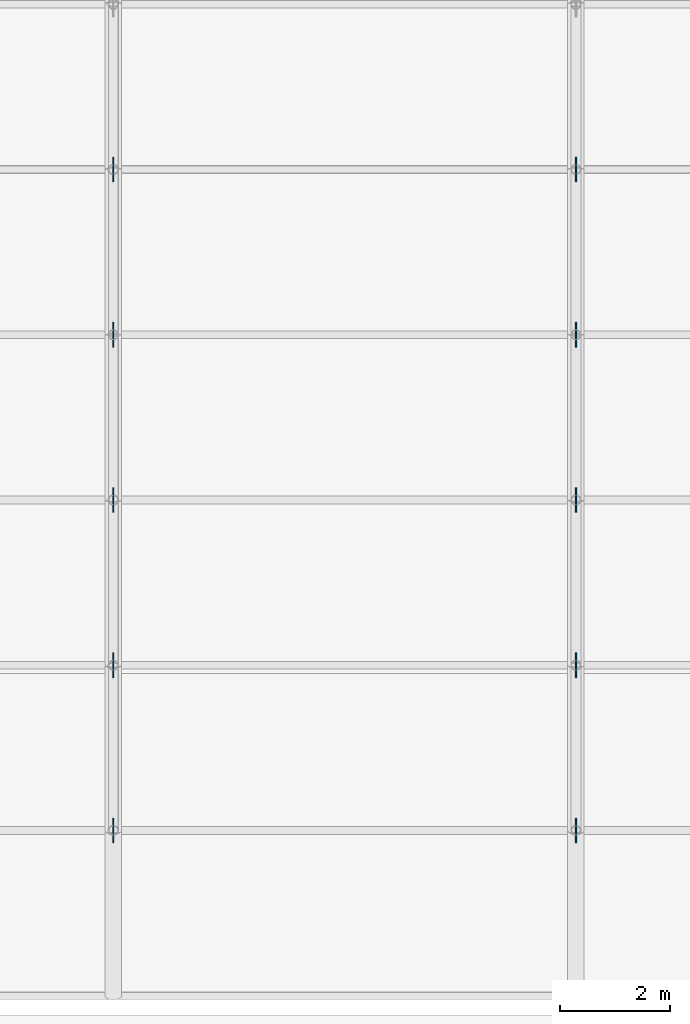
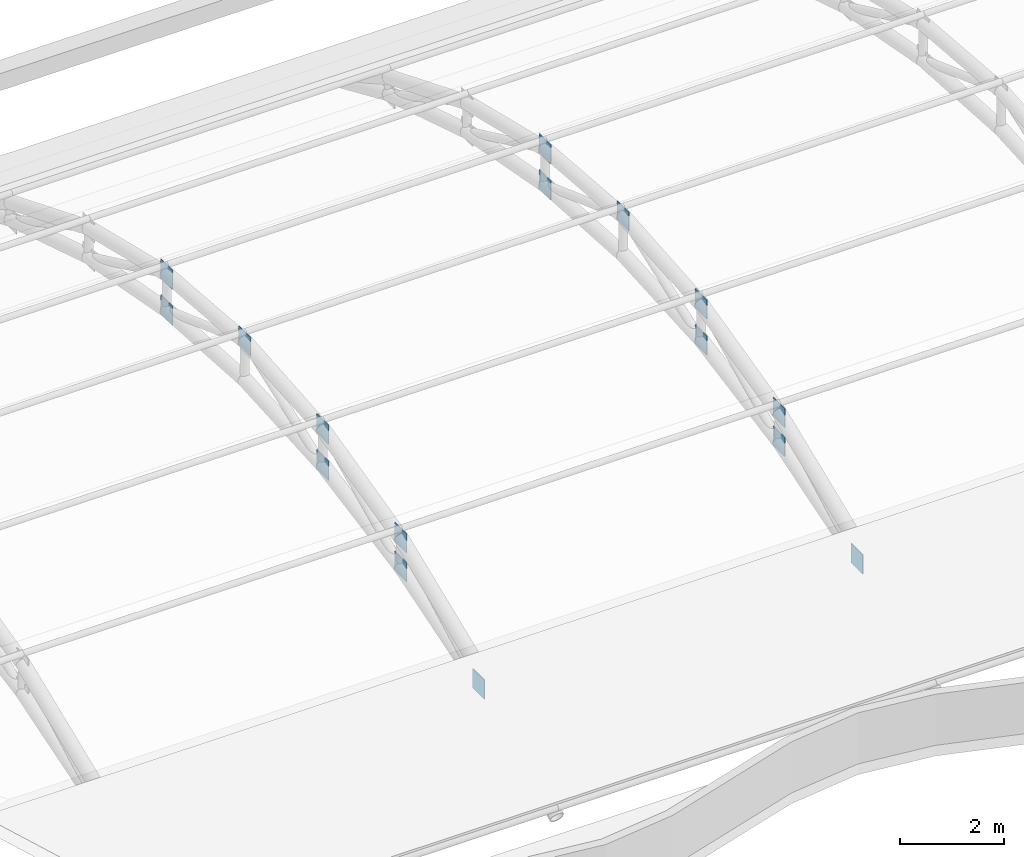
# One storey, part 125 of 163: 16 discrete accessories.
"""IFC4 building model written with IfcOpenShell, lengths in metres."""

from ifc_helpers import new_model, si_unit, direction, frame, origin, origin_2d, place, context, subcontext, project, spatial, rectangle, extrude, material, layer, layer_set, type_object, element, save


model = new_model("IFC4")

# Units and contexts
model_context = context("Model", 3, precision=1e-05, world=origin(), true_north=direction((0.0, 1.0)))
body_context = subcontext(model_context, "Body", "Model", "MODEL_VIEW")
ifc_project = project(units=[si_unit("LENGTHUNIT", "METRE"), si_unit("AREAUNIT", "SQUARE_METRE"), si_unit("VOLUMEUNIT", "CUBIC_METRE"), si_unit("PLANEANGLEUNIT", "RADIAN"), si_unit("MASSUNIT", "GRAM", prefix="KILO")], contexts=[model_context])

# Site, building, storey
site_placement = place(None, origin())
site = spatial("IfcSite", under=ifc_project, at=site_placement, CompositionType="ELEMENT")
building_placement = place(site_placement, origin())
building = spatial("IfcBuilding", under=site, at=building_placement, Name="Rain Tree Exposition and Congress Centre", CompositionType="ELEMENT")
storey_placement = place(building_placement, frame((0.0, 0.0, 10.5)))
storey = spatial("IfcBuildingStorey", under=building, at=storey_placement, Name="L02", CompositionType="ELEMENT", Elevation=10.5)

# Discrete accessories
ifc_material = material(Name="Steel plate S355J2", Category="steel")
ifc_layer = layer(ifc_material, 0.02001953125)
ifc_layer_set = layer_set([ifc_layer], Name="Steel plate S355J2")
discrete_accessory_type = type_object("IfcDiscreteAccessoryType", Name="Brace node plate 450x450x20", PredefinedType="BRACKET", material=ifc_layer_set)
for number, where, z_axis, x_axis, name in (
    (1, (109.199951171875, 78.60009765625, 1.21728515625), (0.0, 0.0, 1.0), (0.0, 1.0, 0.0), "Brace node plate 450"),
    (2, (109.199951171875, 81.60009765625, 2.830078125), (0.0, 0.0, 1.0), (0.0, -1.0, 0.0), "Brace node plate 450"),
    (3, (109.199951171875, 81.60009765625, 2.15478515625), (0.0, 0.0, 1.0), (0.0, 1.0, 0.0), "Brace node plate 450"),
    (4, (109.199951171875, 84.60009765625, 3.5615234375), (0.0, 0.0, 1.0), (0.0, -1.0, 0.0), "Brace node plate 450"),
    (5, (109.199951171875, 84.60009765625, 2.71728515625), (0.0, 0.0, 1.0), (0.0, 1.0, 0.0), "Brace node plate 450"),
    (6, (109.199951171875, 87.60009765625, 3.80517578125), (0.0, 0.0, 1.0), (0.0, 1.0, 0.0), "Brace node plate 450"),
    (7, (109.199951171875, 90.60009765625, 2.71728515625), (0.0, 0.0, 1.0), (0.0, -1.0, 0.0), "Brace node plate 450"),
    (8, (109.199951171875, 90.60009765625, 3.5615234375), (0.0, 0.0, 1.0), (0.0, 1.0, 0.0), "Brace node plate 450"),
    (9, (117.60009765625, 78.60009765625, 1.21728515625), (0.0, 0.0, 1.0), (0.0, 1.0, 0.0), "Brace node plate 450"),
    (10, (117.60009765625, 81.60009765625, 2.830078125), (0.0, 0.0, 1.0), (0.0, -1.0, 0.0), "Brace node plate 450"),
    (11, (117.60009765625, 81.60009765625, 2.15478515625), (0.0, 0.0, 1.0), (0.0, 1.0, 0.0), "Brace node plate 450"),
    (12, (117.60009765625, 84.60009765625, 3.5615234375), (0.0, 0.0, 1.0), (0.0, -1.0, 0.0), "Brace node plate 450"),
    (13, (117.60009765625, 84.60009765625, 2.71728515625), (0.0, 0.0, 1.0), (0.0, 1.0, 0.0), "Brace node plate 450"),
    (14, (117.60009765625, 87.60009765625, 3.80517578125), (0.0, 0.0, 1.0), (0.0, 1.0, 0.0), "Brace node plate 450"),
    (15, (117.60009765625, 90.60009765625, 2.71728515625), (0.0, 0.0, 1.0), (0.0, -1.0, 0.0), "Brace node plate 450"),
    (16, (117.60009765625, 90.60009765625, 3.5615234375), (0.0, 0.0, 1.0), (0.0, 1.0, 0.0), "Brace node plate 450"),
):
    element("IfcDiscreteAccessory", number, at=place(storey_placement, frame(where, z_axis=z_axis, x_axis=x_axis)), inside=storey, type_object=discrete_accessory_type, Name=name, PredefinedType="BRACKET", context=body_context, shape_type="SweptSolid", body=[
        extrude(rectangle(XDim=0.449951171875, YDim=0.02001953125, at=origin_2d()), origin(), (0.0, 0.0, 1.0), 0.449951171875),
    ])

save(model, "model.ifc")
